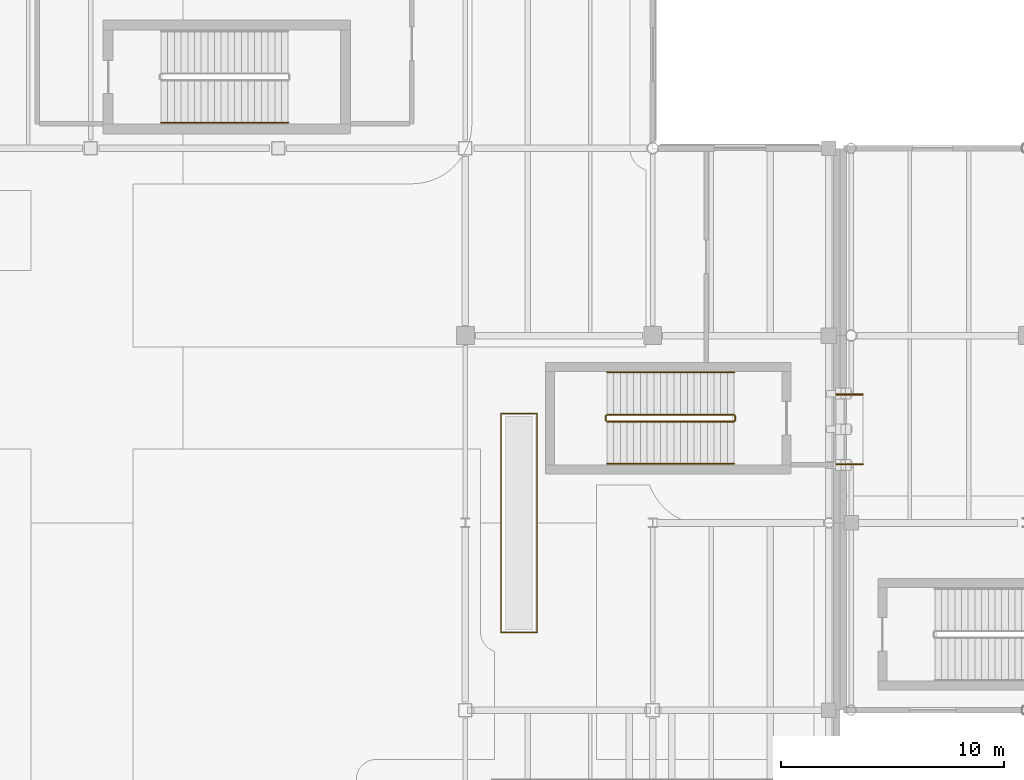
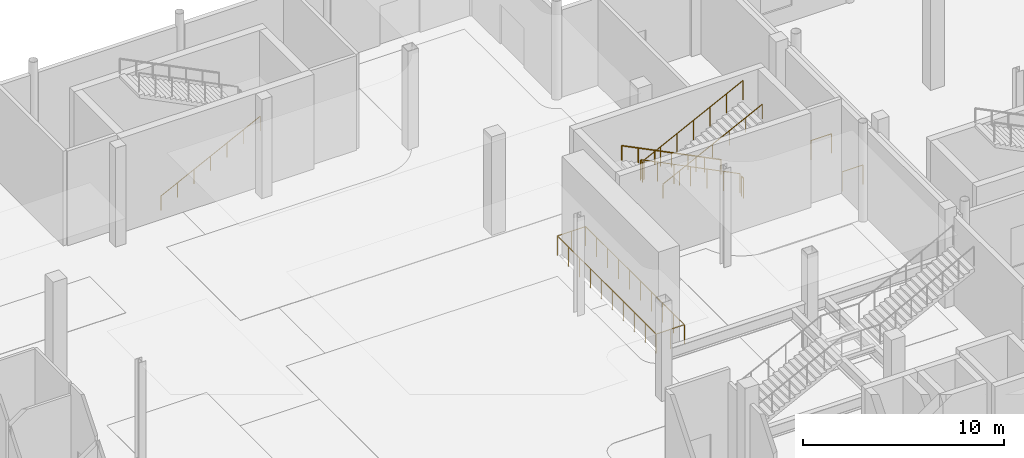
# One storey, part 75 of 85: 10 railings.
"""IFC4 building model written with IfcOpenShell, lengths in metres."""

from ifc_helpers import new_model, si_unit, direction, frame, origin, origin_2d, place, context, subcontext, project, spatial, circle, extrude, material, type_object, element, save


model = new_model("IFC4")

# Units and contexts
model_context = context("Model", 3, precision=1e-05, world=origin(), true_north=direction((0.0, 1.0)))
body_context = subcontext(model_context, "Body", "Model", "MODEL_VIEW")
ifc_project = project(units=[si_unit("LENGTHUNIT", "METRE"), si_unit("AREAUNIT", "SQUARE_METRE"), si_unit("VOLUMEUNIT", "CUBIC_METRE"), si_unit("PLANEANGLEUNIT", "RADIAN"), si_unit("MASSUNIT", "GRAM", prefix="KILO"), si_unit("THERMODYNAMICTEMPERATUREUNIT", "KELVIN")], contexts=[model_context])

# Site, building, storey
site_placement = place(None, origin())
site = spatial("IfcSite", under=ifc_project, at=site_placement, CompositionType="ELEMENT")
building_placement = place(site_placement, origin())
building = spatial("IfcBuilding", under=site, at=building_placement, Name="Lustrewick Department Store", CompositionType="ELEMENT")
storey_placement = place(building_placement, origin())
storey = spatial("IfcBuildingStorey", under=building, at=storey_placement, Name="L01", CompositionType="ELEMENT", Elevation=0.0)

# Railings
ifc_material_1 = material(Name="Laminated safety glass and bronze atrium balustrade", Category="glass")
railing_type_1 = type_object("IfcRailingType", Name="RL-BAL", PredefinedType="BALUSTRADE", material=ifc_material_1)
railing_1_placement = place(storey_placement, frame((43.590087890625, 62.2900390625, 0.0)))
element("IfcRailing", 1, at=railing_1_placement, inside=storey, type_object=railing_type_1, Name="L01 V1 Escalator Well Balustrade 0005", PredefinedType="BALUSTRADE", context=body_context, shape_type="SweptSolid", body=[
    extrude(circle(Radius=0.02392578125, at=origin_2d()), frame((0.0, 0.0, 1.17578125), z_axis=(0.0, 1.0, 0.0), x_axis=(-1.0, 0.0, 0.0)), (0.0, 0.0, 1.0), 9.820068359375),
    extrude(circle(Radius=0.02392578125, at=origin_2d()), frame((0.0, 9.820068359375, 1.17578125), z_axis=(1.0, 0.0, 0.0), x_axis=(0.0, 1.0, 0.0)), (0.0, 0.0, 1.0), 1.619873046875),
    extrude(circle(Radius=0.02392578125, at=origin_2d()), frame((1.619873046875, 9.820068359375, 1.17578125), z_axis=(0.0, -1.0, 0.0), x_axis=(1.0, 0.0, 0.0)), (0.0, 0.0, 1.0), 9.820068359375),
    extrude(circle(Radius=0.02392578125, at=origin_2d()), frame((1.619873046875, 0.0, 1.17578125), z_axis=(-1.0, 0.0, 0.0), x_axis=(0.0, -1.0, 0.0)), (0.0, 0.0, 1.0), 1.619873046875),
    extrude(circle(Radius=0.02099609375, at=origin_2d()), origin(), (0.0, 0.0, 1.0), 1.15185546875),
    extrude(circle(Radius=0.02099609375, at=origin_2d()), frame((0.0, 1.091064453125, 0.0)), (0.0, 0.0, 1.0), 1.15185546875),
    extrude(circle(Radius=0.02099609375, at=origin_2d()), frame((0.0, 2.18212890625, 0.0)), (0.0, 0.0, 1.0), 1.15185546875),
    extrude(circle(Radius=0.02099609375, at=origin_2d()), frame((0.0, 3.2734375, 0.0)), (0.0, 0.0, 1.0), 1.15185546875),
    extrude(circle(Radius=0.02099609375, at=origin_2d()), frame((0.0, 4.364501953125, 0.0)), (0.0, 0.0, 1.0), 1.15185546875),
    extrude(circle(Radius=0.02099609375, at=origin_2d()), frame((0.0, 5.45556640625, 0.0)), (0.0, 0.0, 1.0), 1.15185546875),
    extrude(circle(Radius=0.02099609375, at=origin_2d()), frame((0.0, 6.546630859375, 0.0)), (0.0, 0.0, 1.0), 1.15185546875),
    extrude(circle(Radius=0.02099609375, at=origin_2d()), frame((0.0, 7.637939453125, 0.0)), (0.0, 0.0, 1.0), 1.15185546875),
    extrude(circle(Radius=0.02099609375, at=origin_2d()), frame((0.0, 8.72900390625, 0.0)), (0.0, 0.0, 1.0), 1.15185546875),
    extrude(circle(Radius=0.02099609375, at=origin_2d()), frame((0.0, 9.820068359375, 0.0)), (0.0, 0.0, 1.0), 1.15185546875),
    extrude(circle(Radius=0.02099609375, at=origin_2d()), frame((0.81005859375, 9.820068359375, 0.0)), (0.0, 0.0, 1.0), 1.15185546875),
    extrude(circle(Radius=0.02099609375, at=origin_2d()), frame((1.619873046875, 9.820068359375, 0.0)), (0.0, 0.0, 1.0), 1.15185546875),
    extrude(circle(Radius=0.02099609375, at=origin_2d()), frame((1.619873046875, 8.72900390625, 0.0)), (0.0, 0.0, 1.0), 1.15185546875),
    extrude(circle(Radius=0.02099609375, at=origin_2d()), frame((1.619873046875, 7.637939453125, 0.0)), (0.0, 0.0, 1.0), 1.15185546875),
    extrude(circle(Radius=0.02099609375, at=origin_2d()), frame((1.619873046875, 6.546630859375, 0.0)), (0.0, 0.0, 1.0), 1.15185546875),
    extrude(circle(Radius=0.02099609375, at=origin_2d()), frame((1.619873046875, 5.45556640625, 0.0)), (0.0, 0.0, 1.0), 1.15185546875),
    extrude(circle(Radius=0.02099609375, at=origin_2d()), frame((1.619873046875, 4.364501953125, 0.0)), (0.0, 0.0, 1.0), 1.15185546875),
    extrude(circle(Radius=0.02099609375, at=origin_2d()), frame((1.619873046875, 3.2734375, 0.0)), (0.0, 0.0, 1.0), 1.15185546875),
    extrude(circle(Radius=0.02099609375, at=origin_2d()), frame((1.619873046875, 2.18212890625, 0.0)), (0.0, 0.0, 1.0), 1.15185546875),
    extrude(circle(Radius=0.02099609375, at=origin_2d()), frame((1.619873046875, 1.091064453125, 0.0)), (0.0, 0.0, 1.0), 1.15185546875),
    extrude(circle(Radius=0.02099609375, at=origin_2d()), frame((1.619873046875, 0.0, 0.0)), (0.0, 0.0, 1.0), 1.15185546875),
    extrude(circle(Radius=0.02099609375, at=origin_2d()), frame((0.81005859375, 0.0, 0.0)), (0.0, 0.0, 1.0), 1.15185546875),
])
for number, where, name in (
    (2, (58.639892578125, 69.840087890625, 0.0), "L01 Skybridge SB12 South Guard 0007"),
    (3, (58.639892578125, 72.9599609375, 0.0), "L01 Skybridge SB12 North Guard 0008"),
):
    element("IfcRailing", number, at=place(storey_placement, frame(where)), inside=storey, type_object=railing_type_1, Name=name, PredefinedType="BALUSTRADE", context=body_context, shape_type="SweptSolid", body=[
        extrude(circle(Radius=0.02392578125, at=origin_2d()), frame((0.0, 0.0, 1.17578125), z_axis=(1.0, 0.0, 0.0), x_axis=(0.0, 1.0, 0.0)), (0.0, 0.0, 1.0), 1.190185546875),
        extrude(circle(Radius=0.02099609375, at=origin_2d()), origin(), (0.0, 0.0, 1.0), 1.15185546875),
        extrude(circle(Radius=0.02099609375, at=origin_2d()), frame((1.190185546875, 0.0, 0.0)), (0.0, 0.0, 1.0), 1.15185546875),
    ])
ifc_material_2 = material(Name="Painted tubular steel stairwell guardrail", Category="steel")
railing_type_2 = type_object("IfcRailingType", Name="RL-STG", PredefinedType="GUARDRAIL", material=ifc_material_2)
railing_2_placement = place(storey_placement, frame((54.050048828125, 72.050048828125, 0.14990234375)))
element("IfcRailing", 4, at=railing_2_placement, inside=storey, type_object=railing_type_2, Name="L01 ST02 Stair Guard 1", PredefinedType="GUARDRAIL", context=body_context, shape_type="SweptSolid", body=[
    extrude(circle(Radius=0.02392578125, at=origin_2d()), frame((0.0, 0.0, 1.17578125), z_axis=(-0.894419528903, 0.0, 0.447228919365), x_axis=(0.0, -1.0, 0.0)), (0.0, 0.0, 1.0), 6.372802734375),
    extrude(circle(Radius=0.02099609375, at=origin_2d()), origin(), (0.0, 0.0, 1.0), 1.15185546875),
    extrude(circle(Radius=0.02099609375, at=origin_2d()), frame((-0.949951171875, 0.0, 0.47509765625)), (0.0, 0.0, 1.0), 1.15185546875),
    extrude(circle(Radius=0.02099609375, at=origin_2d()), frame((-1.89990234375, 0.0, 0.949951171875)), (0.0, 0.0, 1.0), 1.15185546875),
    extrude(circle(Radius=0.02099609375, at=origin_2d()), frame((-2.85009765625, 0.0, 1.425048828125)), (0.0, 0.0, 1.0), 1.15185546875),
    extrude(circle(Radius=0.02099609375, at=origin_2d()), frame((-3.800048828125, 0.0, 1.900146484375)), (0.0, 0.0, 1.0), 1.15185546875),
    extrude(circle(Radius=0.02099609375, at=origin_2d()), frame((-4.75, 0.0, 2.375)), (0.0, 0.0, 1.0), 1.15185546875),
    extrude(circle(Radius=0.02099609375, at=origin_2d()), frame((-5.699951171875, 0.0, 2.85009765625)), (0.0, 0.0, 1.0), 1.15185546875),
])
railing_3_placement = place(storey_placement, frame((48.300048828125, 72.0, 3.0)))
element("IfcRailing", 5, at=railing_3_placement, inside=storey, type_object=railing_type_2, Name="L01 ST02 Stair Guard 2", PredefinedType="GUARDRAIL", context=body_context, shape_type="SweptSolid", body=[
    extrude(circle(Radius=0.02392578125, at=origin_2d()), frame((0.0, 0.0, 1.17578125), z_axis=(0.0, -1.0, 0.0), x_axis=(1.0, 0.0, 0.0)), (0.0, 0.0, 1.0), 0.199951171875),
    extrude(circle(Radius=0.02099609375, at=origin_2d()), origin(), (0.0, 0.0, 1.0), 1.15185546875),
    extrude(circle(Radius=0.02099609375, at=origin_2d()), frame((0.0, -0.199951171875, 0.0)), (0.0, 0.0, 1.0), 1.15185546875),
])
railing_4_placement = place(storey_placement, frame((48.35009765625, 71.75, 3.14990234375)))
element("IfcRailing", 6, at=railing_4_placement, inside=storey, type_object=railing_type_2, Name="L01 ST02 Stair Guard 3", PredefinedType="GUARDRAIL", context=body_context, shape_type="SweptSolid", body=[
    extrude(circle(Radius=0.02392578125, at=origin_2d()), frame((0.0, 0.0, 1.17578125), z_axis=(0.894419528903, 0.0, 0.447228919365), x_axis=(0.0, 1.0, 0.0)), (0.0, 0.0, 1.0), 6.372802734375),
    extrude(circle(Radius=0.02099609375, at=origin_2d()), origin(), (0.0, 0.0, 1.0), 1.15185546875),
    extrude(circle(Radius=0.02099609375, at=origin_2d()), frame((0.949951171875, 0.0, 0.47509765625)), (0.0, 0.0, 1.0), 1.15185546875),
    extrude(circle(Radius=0.02099609375, at=origin_2d()), frame((1.89990234375, 0.0, 0.949951171875)), (0.0, 0.0, 1.0), 1.15185546875),
    extrude(circle(Radius=0.02099609375, at=origin_2d()), frame((2.85009765625, 0.0, 1.425048828125)), (0.0, 0.0, 1.0), 1.15185546875),
    extrude(circle(Radius=0.02099609375, at=origin_2d()), frame((3.800048828125, 0.0, 1.900146484375)), (0.0, 0.0, 1.0), 1.15185546875),
    extrude(circle(Radius=0.02099609375, at=origin_2d()), frame((4.75, 0.0, 2.375)), (0.0, 0.0, 1.0), 1.15185546875),
    extrude(circle(Radius=0.02099609375, at=origin_2d()), frame((5.699951171875, 0.0, 2.85009765625)), (0.0, 0.0, 1.0), 1.15185546875),
])
railing_5_placement = place(storey_placement, frame((54.10009765625, 72.0, 0.0)))
element("IfcRailing", 7, at=railing_5_placement, inside=storey, type_object=railing_type_2, Name="L01 ST02 Stair Guard 4", PredefinedType="GUARDRAIL", context=body_context, shape_type="SweptSolid", body=[
    extrude(circle(Radius=0.02392578125, at=origin_2d()), frame((0.0, 0.0, 1.17578125), z_axis=(0.0, -1.0, 0.0), x_axis=(1.0, 0.0, 0.0)), (0.0, 0.0, 1.0), 0.199951171875),
    extrude(circle(Radius=0.02099609375, at=origin_2d()), origin(), (0.0, 0.0, 1.0), 1.15185546875),
    extrude(circle(Radius=0.02099609375, at=origin_2d()), frame((0.0, -0.199951171875, 0.0)), (0.0, 0.0, 1.0), 1.15185546875),
])
ifc_material_3 = material(Name="Brushed stainless steel wall handrail", Category="steel")
railing_type_3 = type_object("IfcRailingType", Name="RL-STH", PredefinedType="HANDRAIL", material=ifc_material_3)
railing_6_placement = place(storey_placement, frame((54.050048828125, 73.949951171875, 0.14990234375)))
element("IfcRailing", 8, at=railing_6_placement, inside=storey, type_object=railing_type_3, Name="L01 ST02 Stair Handrail 1", PredefinedType="HANDRAIL", context=body_context, shape_type="SweptSolid", body=[
    extrude(circle(Radius=0.02392578125, at=origin_2d()), frame((0.0, 0.0, 0.8759765625), z_axis=(-0.894419528903, 0.0, 0.447228919365), x_axis=(0.0, -1.0, 0.0)), (0.0, 0.0, 1.0), 6.372802734375),
    extrude(circle(Radius=0.02099609375, at=origin_2d()), origin(), (0.0, 0.0, 1.0), 0.851806640625),
    extrude(circle(Radius=0.02099609375, at=origin_2d()), frame((-0.949951171875, 0.0, 0.47509765625)), (0.0, 0.0, 1.0), 0.851806640625),
    extrude(circle(Radius=0.02099609375, at=origin_2d()), frame((-1.89990234375, 0.0, 0.949951171875)), (0.0, 0.0, 1.0), 0.851806640625),
    extrude(circle(Radius=0.02099609375, at=origin_2d()), frame((-2.85009765625, 0.0, 1.425048828125)), (0.0, 0.0, 1.0), 0.851806640625),
    extrude(circle(Radius=0.02099609375, at=origin_2d()), frame((-3.800048828125, 0.0, 1.900146484375)), (0.0, 0.0, 1.0), 0.851806640625),
    extrude(circle(Radius=0.02099609375, at=origin_2d()), frame((-4.75, 0.0, 2.375)), (0.0, 0.0, 1.0), 0.851806640625),
    extrude(circle(Radius=0.02099609375, at=origin_2d()), frame((-5.699951171875, 0.0, 2.85009765625)), (0.0, 0.0, 1.0), 0.851806640625),
])
for number, where, name in (
    (9, (48.35009765625, 69.85009765625, 3.14990234375), "L01 ST02 Stair Handrail 2"),
    (10, (28.35009765625, 85.14990234375, 0.14990234375), "L01 ST03 Stair Handrail 1"),
):
    element("IfcRailing", number, at=place(storey_placement, frame(where)), inside=storey, type_object=railing_type_3, Name=name, PredefinedType="HANDRAIL", context=body_context, shape_type="SweptSolid", body=[
        extrude(circle(Radius=0.02392578125, at=origin_2d()), frame((0.0, 0.0, 0.8759765625), z_axis=(0.894419528903, 0.0, 0.447228919365), x_axis=(0.0, 1.0, 0.0)), (0.0, 0.0, 1.0), 6.372802734375),
        extrude(circle(Radius=0.02099609375, at=origin_2d()), origin(), (0.0, 0.0, 1.0), 0.851806640625),
        extrude(circle(Radius=0.02099609375, at=origin_2d()), frame((0.949951171875, 0.0, 0.47509765625)), (0.0, 0.0, 1.0), 0.851806640625),
        extrude(circle(Radius=0.02099609375, at=origin_2d()), frame((1.89990234375, 0.0, 0.949951171875)), (0.0, 0.0, 1.0), 0.851806640625),
        extrude(circle(Radius=0.02099609375, at=origin_2d()), frame((2.85009765625, 0.0, 1.425048828125)), (0.0, 0.0, 1.0), 0.851806640625),
        extrude(circle(Radius=0.02099609375, at=origin_2d()), frame((3.800048828125, 0.0, 1.900146484375)), (0.0, 0.0, 1.0), 0.851806640625),
        extrude(circle(Radius=0.02099609375, at=origin_2d()), frame((4.75, 0.0, 2.375)), (0.0, 0.0, 1.0), 0.851806640625),
        extrude(circle(Radius=0.02099609375, at=origin_2d()), frame((5.699951171875, 0.0, 2.85009765625)), (0.0, 0.0, 1.0), 0.851806640625),
    ])

save(model, "model.ifc")
